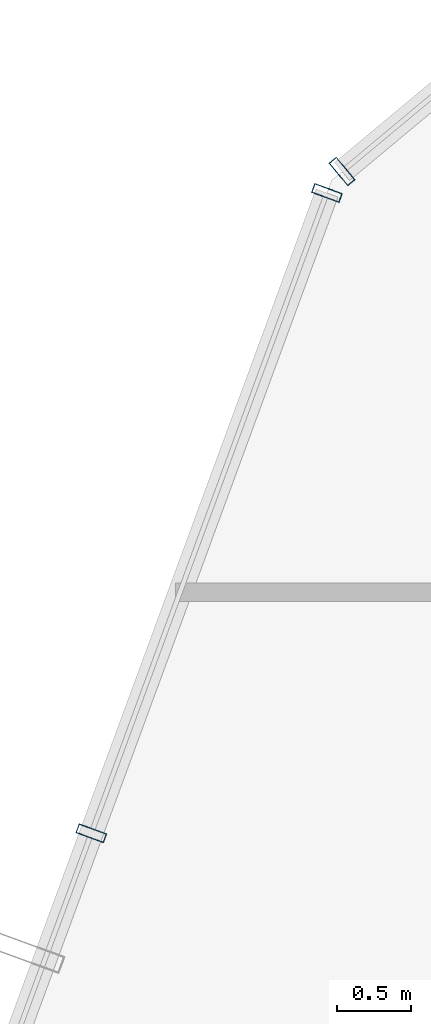
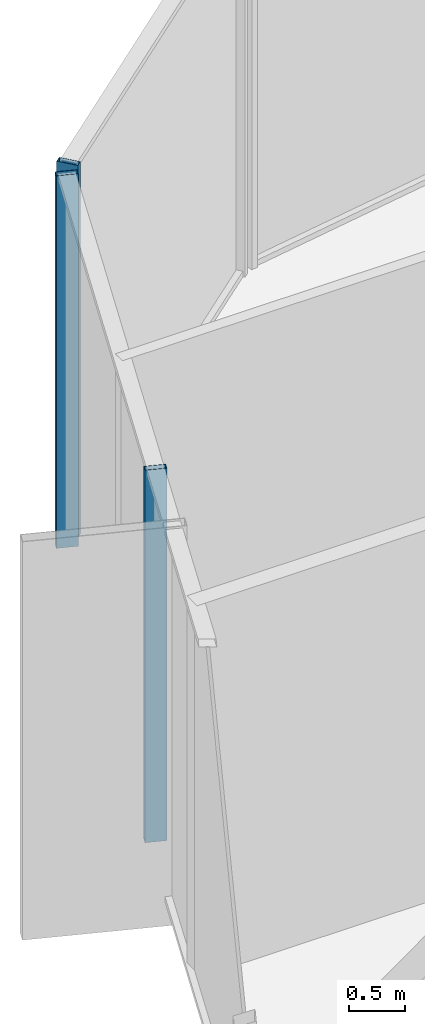
# One storey, part 20 of 35: 3 members, 2 elements without a shape of their own.
"""IFC4 building model written with IfcOpenShell, lengths in metres."""

from ifc_helpers import new_model, si_unit, direction, frame, origin, origin_2d, place, context, subcontext, project, spatial, hollow_rectangle, extrude, source, transform, mapped, material, layer, layer_set, material_profile, profile_set, type_object, element, aggregate, save


model = new_model("IFC4")

# Units and contexts
model_context = context("Model", 3, precision=1e-05, world=origin(), true_north=direction((0.0, 1.0)))
body_context = subcontext(model_context, "Body", "Model", "MODEL_VIEW")
ifc_project = project(units=[si_unit("LENGTHUNIT", "METRE"), si_unit("AREAUNIT", "SQUARE_METRE"), si_unit("VOLUMEUNIT", "CUBIC_METRE"), si_unit("PLANEANGLEUNIT", "RADIAN"), si_unit("MASSUNIT", "GRAM", prefix="KILO")], contexts=[model_context])

# Site, building, storey
site_placement = place(None, origin())
site = spatial("IfcSite", under=ifc_project, at=site_placement, CompositionType="ELEMENT")
building_placement = place(site_placement, origin())
building = spatial("IfcBuilding", under=site, at=building_placement, Name="Veraguas Prism Commons", CompositionType="ELEMENT")
storey_placement = place(building_placement, frame((0.0, 0.0, 56.550048828125)))
storey = spatial("IfcBuildingStorey", under=building, at=storey_placement, Name="L15", CompositionType="ELEMENT", Elevation=56.550048828125)

# Curtain wall, members
ifc_material = material(Name="Anodised aluminium EN AW-6063 T6", Category="aluminium")
ifc_layer = layer(ifc_material, 0.199951171875, Name="Sky Lobby and Pool Acoustic Curtain Wall", Category="aluminium")
ifc_layer_set = layer_set([ifc_layer], Name="Anodised aluminium EN AW-6063 T6")
curtain_wall_type = type_object("IfcCurtainWallType", Name="Sky Lobby and Pool Acoustic Curtain Wall", PredefinedType="NOTDEFINED", material=ifc_layer_set)
curtain_wall_1_placement = place(storey_placement, origin())
curtain_wall_1 = element("IfcCurtainWall", 1, at=curtain_wall_1_placement, inside=storey, type_object=curtain_wall_type, Name="Tower Facade Curtain Wall L15-F3", PredefinedType="NOTDEFINED")
ifc_material_profile = material_profile(ifc_material, hollow_rectangle(XDim=0.06494140625, YDim=0.199951171875, WallThickness=0.00390625, at=origin_2d()), Name="AL65X200X4")
ifc_profile_set = profile_set([ifc_material_profile], Name="Anodised aluminium EN AW-6063 T6")
member_type = type_object("IfcMemberType", Name="Curtain Wall Mullion Heavy AL 65x200x4", PredefinedType="MULLION", material=ifc_profile_set)
shared_shape = source(origin(), body_context, "Body", "SweptSolid", [
    extrude(hollow_rectangle(XDim=0.06494140625, YDim=0.199951171875, WallThickness=0.00390625, at=origin_2d()), origin(), (0.0, 0.0, 1.0), 4.050048828125),
])
member_1_placement = place(storey_placement, frame((7.70849609375, 39.913818359375, 0.0), z_axis=(0.0, 0.0, 1.0), x_axis=(-0.345301474955, -0.938491817436, 0.0)))
member_1 = element("IfcMember", 2, at=member_1_placement, type_object=member_type, Name="CW-SKY Mullion 1", PredefinedType="MULLION", context=body_context, shape_type="MappedRepresentation", body=[
    mapped(shared_shape, transform((0.0, 0.0, 0.0), scale=1.0)),
])
member_2_placement = place(storey_placement, frame((6.106689453125, 35.560546875, 0.0), z_axis=(0.0, 0.0, 1.0), x_axis=(-0.345301474955, -0.938491817436, 0.0)))
member_2 = element("IfcMember", 3, at=member_2_placement, type_object=member_type, Name="CW-SKY Mullion 2", PredefinedType="MULLION", context=body_context, shape_type="MappedRepresentation", body=[
    mapped(shared_shape, transform((0.0, 0.0, 0.0), scale=1.0)),
])
aggregate(curtain_wall_1, [member_1, member_2])

# Curtain wall, member
curtain_wall_2_placement = place(storey_placement, origin())
curtain_wall_2 = element("IfcCurtainWall", 4, at=curtain_wall_2_placement, inside=storey, type_object=curtain_wall_type, Name="Chamfer Curtain Wall L15-C3", PredefinedType="NOTDEFINED")
member_3_placement = place(storey_placement, frame((7.811279296875, 40.059814453125, 0.0), z_axis=(0.0, 0.0, 1.0), x_axis=(-0.768273468679, -0.640121767575, 0.0)))
member_3 = element("IfcMember", 5, at=member_3_placement, type_object=member_type, Name="CW-SKY Mullion 2", PredefinedType="MULLION", context=body_context, shape_type="MappedRepresentation", body=[
    mapped(shared_shape, transform((0.0, 0.0, 0.0), scale=1.0)),
])
aggregate(curtain_wall_2, [member_3])

save(model, "model.ifc")
